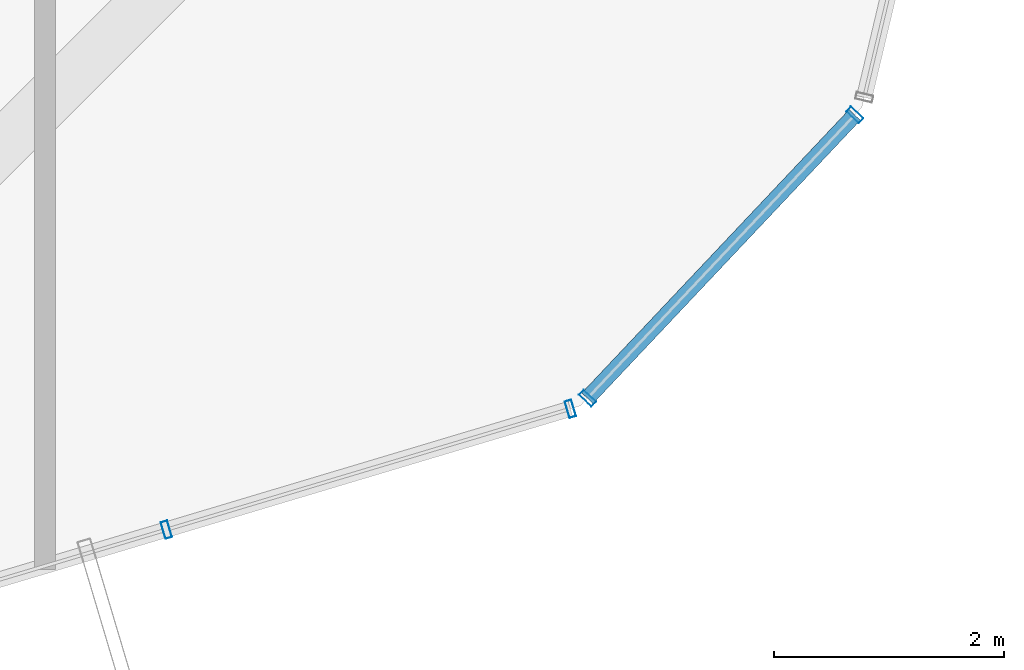
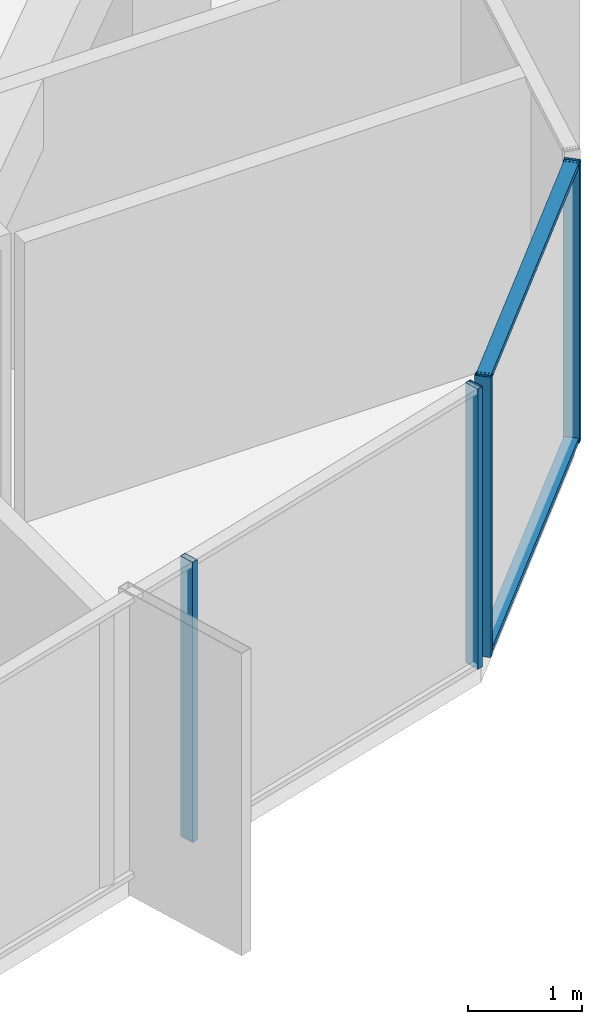
# One storey, part 9 of 28: 6 members, 2 elements without a shape of their own.
"""IFC4 building model written with IfcOpenShell, lengths in metres."""

from ifc_helpers import new_model, si_unit, direction, frame, origin, origin_2d, place, context, subcontext, project, spatial, hollow_rectangle, extrude, source, transform, mapped, material, layer, layer_set, material_profile, profile_set, type_object, element, aggregate, save


model = new_model("IFC4")

# Units and contexts
model_context = context("Model", 3, precision=1e-05, world=origin(), true_north=direction((0.0, 1.0)))
body_context = subcontext(model_context, "Body", "Model", "MODEL_VIEW")
ifc_project = project(units=[si_unit("LENGTHUNIT", "METRE"), si_unit("AREAUNIT", "SQUARE_METRE"), si_unit("VOLUMEUNIT", "CUBIC_METRE"), si_unit("PLANEANGLEUNIT", "RADIAN"), si_unit("MASSUNIT", "GRAM", prefix="KILO")], contexts=[model_context])

# Site, building, storey
site_placement = place(None, origin())
site = spatial("IfcSite", under=ifc_project, at=site_placement, CompositionType="ELEMENT")
building_placement = place(site_placement, origin())
building = spatial("IfcBuilding", under=site, at=building_placement, Name="Veraguas Prism Commons", CompositionType="ELEMENT")
storey_placement = place(building_placement, frame((0.0, 0.0, 254.5)))
storey = spatial("IfcBuildingStorey", under=building, at=storey_placement, Name="L72", CompositionType="ELEMENT", Elevation=254.5)

# Curtain wall, members
ifc_material = material(Name="Anodised aluminium EN AW-6063 T6", Category="aluminium")
ifc_layer = layer(ifc_material, 0.14990234375, Name="Unitised Flush Curtain Wall Zone 4", Category="aluminium")
ifc_layer_set = layer_set([ifc_layer], Name="Anodised aluminium EN AW-6063 T6")
curtain_wall_type = type_object("IfcCurtainWallType", Name="Unitised Flush Curtain Wall Zone 4", PredefinedType="NOTDEFINED", material=ifc_layer_set)
curtain_wall_1_placement = place(storey_placement, origin())
curtain_wall_1 = element("IfcCurtainWall", 1, at=curtain_wall_1_placement, inside=storey, type_object=curtain_wall_type, Name="Tower Facade Curtain Wall L72-F5", PredefinedType="NOTDEFINED")
ifc_material_profile_1 = material_profile(ifc_material, hollow_rectangle(XDim=0.06005859375, YDim=0.14990234375, WallThickness=0.0029296875, at=origin_2d()), Name="AL60X150X3")
ifc_profile_set_1 = profile_set([ifc_material_profile_1], Name="Anodised aluminium EN AW-6063 T6")
member_type_1 = type_object("IfcMemberType", Name="Curtain Wall Mullion Upper AL 60x150x3", PredefinedType="MULLION", material=ifc_profile_set_1)
shared_shape_1 = source(origin(), body_context, "Body", "SweptSolid", [
    extrude(hollow_rectangle(XDim=0.06005859375, YDim=0.14990234375, WallThickness=0.0029296875, at=origin_2d()), origin(), (0.0, 0.0, 1.0), 3.014892578125),
])
member_1_placement = place(storey_placement, frame((32.25390625, 9.29443359375, 0.0), z_axis=(0.0, 0.0, 1.0), x_axis=(0.958022876902, 0.286691763629, 0.0)))
member_1 = element("IfcMember", 2, at=member_1_placement, type_object=member_type_1, Name="CW-Z4 Mullion 4", PredefinedType="MULLION", context=body_context, shape_type="MappedRepresentation", body=[
    mapped(shared_shape_1, transform((0.0, 0.0, 0.0), scale=1.0)),
])
member_2_placement = place(storey_placement, frame((35.761962890625, 10.34423828125, 0.0), z_axis=(0.0, 0.0, 1.0), x_axis=(0.958022876902, 0.286691763629, 0.0)))
member_2 = element("IfcMember", 3, at=member_2_placement, type_object=member_type_1, Name="CW-Z4 Mullion 5", PredefinedType="MULLION", context=body_context, shape_type="MappedRepresentation", body=[
    mapped(shared_shape_1, transform((0.0, 0.0, 0.0), scale=1.0)),
])
aggregate(curtain_wall_1, [member_1, member_2])

curtain_wall_2_placement = place(storey_placement, origin())
curtain_wall_2 = element("IfcCurtainWall", 4, at=curtain_wall_2_placement, inside=storey, type_object=curtain_wall_type, Name="Chamfer Curtain Wall L72-C6", PredefinedType="NOTDEFINED")
member_3_placement = place(storey_placement, frame((35.909912109375, 10.435546875, 0.0), z_axis=(0.0, 0.0, 1.0), x_axis=(0.686300879229, 0.727317745672, 0.0)))
member_3 = element("IfcMember", 5, at=member_3_placement, type_object=member_type_1, Name="CW-Z4 Mullion 1", PredefinedType="MULLION", context=body_context, shape_type="MappedRepresentation", body=[
    mapped(shared_shape_1, transform((0.0, 0.0, 0.0), scale=1.0)),
])
member_4_placement = place(storey_placement, frame((38.231201171875, 12.895751953125, 0.0), z_axis=(0.0, 0.0, 1.0), x_axis=(0.686300879229, 0.727317745672, 0.0)))
member_4 = element("IfcMember", 6, at=member_4_placement, type_object=member_type_1, Name="CW-Z4 Mullion 2", PredefinedType="MULLION", context=body_context, shape_type="MappedRepresentation", body=[
    mapped(shared_shape_1, transform((0.0, 0.0, 0.0), scale=1.0)),
])
ifc_material_profile_2 = material_profile(ifc_material, hollow_rectangle(XDim=0.054931640625, YDim=0.135009765625, WallThickness=0.0029296875, at=origin_2d()), Name="AL55X135X3")
ifc_profile_set_2 = profile_set([ifc_material_profile_2], Name="Anodised aluminium EN AW-6063 T6")
member_type_2 = type_object("IfcMemberType", Name="Curtain Wall Transom Standard AL 55x135x3", PredefinedType="USERDEFINED", material=ifc_profile_set_2)
shared_shape_2 = source(origin(), body_context, "Body", "SweptSolid", [
    extrude(hollow_rectangle(XDim=0.054931640625, YDim=0.135009765625, WallThickness=0.0029296875, at=origin_2d()), origin(), (0.0, 0.0, 1.0), 3.382568359375),
])
member_5_placement = place(storey_placement, frame((35.909912109375, 10.435546875, 0.027587890625), z_axis=(0.68627374664, 0.72734334717, 0.0), x_axis=(0.0, 0.0, 1.0)))
member_5 = element("IfcMember", 7, at=member_5_placement, type_object=member_type_2, Name="CW-Z4 Transom 1", ObjectType="TRANSOM", PredefinedType="USERDEFINED", context=body_context, shape_type="MappedRepresentation", body=[
    mapped(shared_shape_2, transform((0.0, 0.0, 0.0), scale=1.0)),
])
member_6_placement = place(storey_placement, frame((35.909912109375, 10.435546875, 2.987548828125), z_axis=(0.68627374664, 0.72734334717, 0.0), x_axis=(0.0, 0.0, 1.0)))
member_6 = element("IfcMember", 8, at=member_6_placement, type_object=member_type_2, Name="CW-Z4 Transom 2", ObjectType="TRANSOM", PredefinedType="USERDEFINED", context=body_context, shape_type="MappedRepresentation", body=[
    mapped(shared_shape_2, transform((0.0, 0.0, 0.0), scale=1.0)),
])
aggregate(curtain_wall_2, [member_3, member_4, member_5, member_6])

save(model, "model.ifc")
